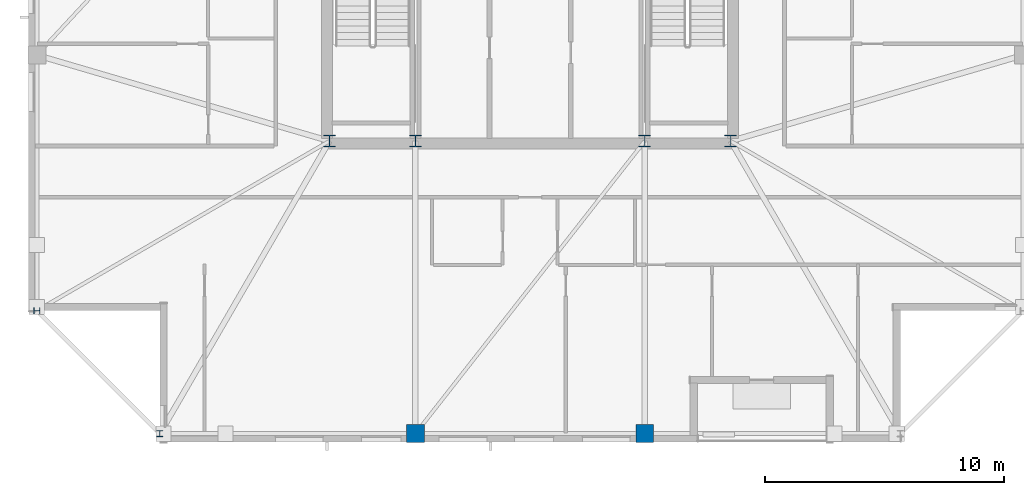
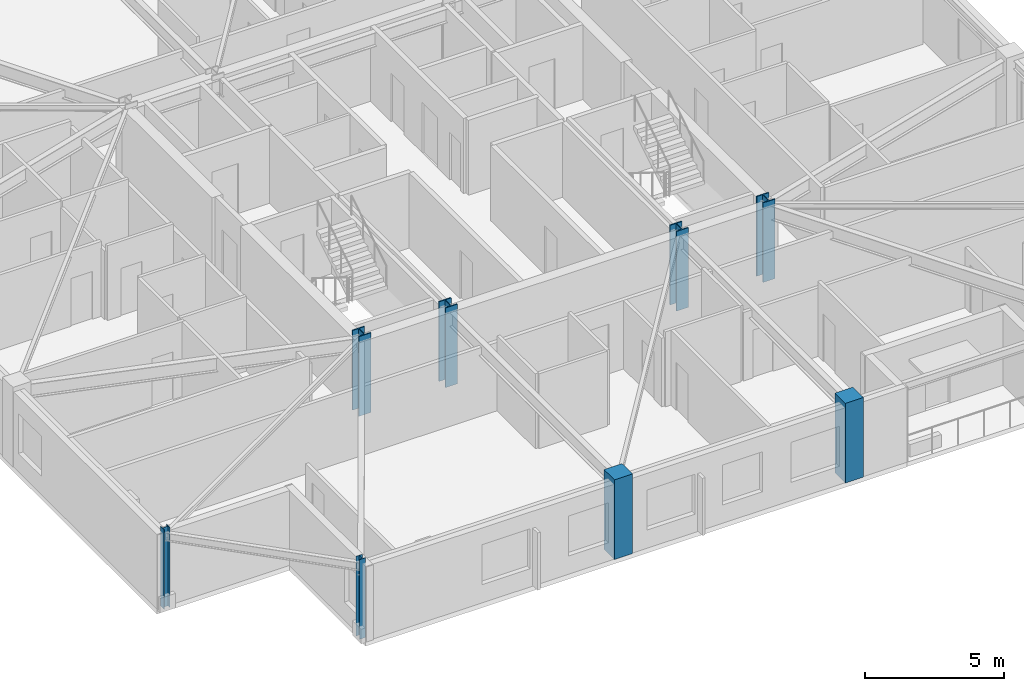
# One storey, part 1 of 15: 8 columns.
"""IFC4 building model written with IfcOpenShell, lengths in metres."""

from ifc_helpers import new_model, si_unit, direction, frame, origin, origin_2d, place, context, subcontext, project, spatial, rectangle, i_section, extrude, material, material_profile, profile_set, type_object, element, save


model = new_model("IFC4")

# Units and contexts
model_context = context("Model", 3, precision=1e-05, world=origin(), true_north=direction((0.0, 1.0)))
body_context = subcontext(model_context, "Body", "Model", "MODEL_VIEW")
ifc_project = project(units=[si_unit("LENGTHUNIT", "METRE"), si_unit("AREAUNIT", "SQUARE_METRE"), si_unit("VOLUMEUNIT", "CUBIC_METRE"), si_unit("PLANEANGLEUNIT", "RADIAN"), si_unit("MASSUNIT", "GRAM", prefix="KILO")], contexts=[model_context])

# Site, building, storey
site_placement = place(None, origin())
site = spatial("IfcSite", under=ifc_project, at=site_placement, CompositionType="ELEMENT")
building_placement = place(site_placement, origin())
building = spatial("IfcBuilding", under=site, at=building_placement, Name="Cairnveth Concourse Tower", CompositionType="ELEMENT")
storey_placement = place(building_placement, frame((0.0, 0.0, 287.5)))
storey = spatial("IfcBuildingStorey", under=building, at=storey_placement, Name="L79", CompositionType="ELEMENT", Elevation=287.5)

# Columns
ifc_material_1 = material(Name="Concrete N50 (50 MPa)", Category="concrete")
ifc_material_profile_1 = material_profile(ifc_material_1, rectangle(XDim=0.75, YDim=0.75, at=origin_2d()), Name="RC-COL-750x750")
ifc_profile_set_1 = profile_set([ifc_material_profile_1], Name="Concrete N50 (50 MPa)")
column_type_1 = type_object("IfcColumnType", Name="PERIMETER PIER COLUMN 750X750", PredefinedType="COLUMN", material=ifc_profile_set_1)
for number, where, z_axis, x_axis, name in (
    (1, (47.199951171875, 18.35009765625, 0.0), (0.0, 0.0, 1.0), (1.0, 0.0, 0.0), "Column P-S2 L79"),
    (2, (56.800048828125, 18.35009765625, 0.0), (0.0, 0.0, 1.0), (1.0, 0.0, 0.0), "Column P-S3 L79"),
):
    element("IfcColumn", number, at=place(storey_placement, frame(where, z_axis=z_axis, x_axis=x_axis)), inside=storey, type_object=column_type_1, Name=name, PredefinedType="COLUMN", context=body_context, shape_type="SweptSolid", body=[
        extrude(rectangle(XDim=0.75, YDim=0.75, at=origin_2d()), origin(), (0.0, 0.0, 1.0), 3.5),
    ])
ifc_material_2 = material(Name="Steel Grade 350", Category="steel")
ifc_material_profile_2 = material_profile(ifc_material_2, i_section(OverallWidth=0.25390625, OverallDepth=0.25390625, WebThickness=0.008544921875, FlangeThickness=0.01416015625, FilletRadius=0.012939453125, at=origin_2d()), Name="250UC72.9")
ifc_profile_set_2 = profile_set([ifc_material_profile_2], Name="Steel Grade 350")
column_type_2 = type_object("IfcColumnType", Name="UNIVERSAL STEEL COLUMN 250UC72.9", PredefinedType="COLUMN", material=ifc_profile_set_2)
for number, where, z_axis, x_axis, name in (
    (3, (36.5, 18.35009765625, 0.0), (0.0, 0.0, 1.0), (1.0, 0.0, 0.0), "Column P-S1 L79"),
    (4, (31.35009765625, 23.5, 0.0), (0.0, 0.0, 1.0), (0.0, 1.0, 0.0), "Column P-W4 L79"),
):
    element("IfcColumn", number, at=place(storey_placement, frame(where, z_axis=z_axis, x_axis=x_axis)), inside=storey, type_object=column_type_2, Name=name, PredefinedType="COLUMN", context=body_context, shape_type="SweptSolid", body=[
        extrude(i_section(OverallWidth=0.25390625, OverallDepth=0.25390625, WebThickness=0.008544921875, FlangeThickness=0.01416015625, FilletRadius=0.012939453125, at=origin_2d()), origin(), (0.0, 0.0, 1.0), 3.5),
    ])
ifc_material_profile_3 = material_profile(ifc_material_2, i_section(OverallWidth=0.5, OverallDepth=0.5, WebThickness=0.028076171875, FlangeThickness=0.044921875, at=origin_2d()), Name="500WC383")
ifc_profile_set_3 = profile_set([ifc_material_profile_3], Name="Steel Grade 350")
column_type_3 = type_object("IfcColumnType", Name="WELDED STEEL COLUMN 500WC383", PredefinedType="COLUMN", material=ifc_profile_set_3)
for number, where, z_axis, x_axis, name in (
    (5, (43.60009765625, 30.60009765625, 0.0), (0.0, 0.0, 1.0), (1.0, 0.0, 0.0), "Column CC1 L79"),
    (6, (47.199951171875, 30.60009765625, 0.0), (0.0, 0.0, 1.0), (1.0, 0.0, 0.0), "Column CC2 L79"),
    (7, (56.800048828125, 30.60009765625, 0.0), (0.0, 0.0, 1.0), (1.0, 0.0, 0.0), "Column CC3 L79"),
    (8, (60.39990234375, 30.60009765625, 0.0), (0.0, 0.0, 1.0), (1.0, 0.0, 0.0), "Column CC4 L79"),
):
    element("IfcColumn", number, at=place(storey_placement, frame(where, z_axis=z_axis, x_axis=x_axis)), inside=storey, type_object=column_type_3, Name=name, PredefinedType="COLUMN", context=body_context, shape_type="SweptSolid", body=[
        extrude(i_section(OverallWidth=0.5, OverallDepth=0.5, WebThickness=0.028076171875, FlangeThickness=0.044921875, at=origin_2d()), origin(), (0.0, 0.0, 1.0), 3.5),
    ])

save(model, "model.ifc")
